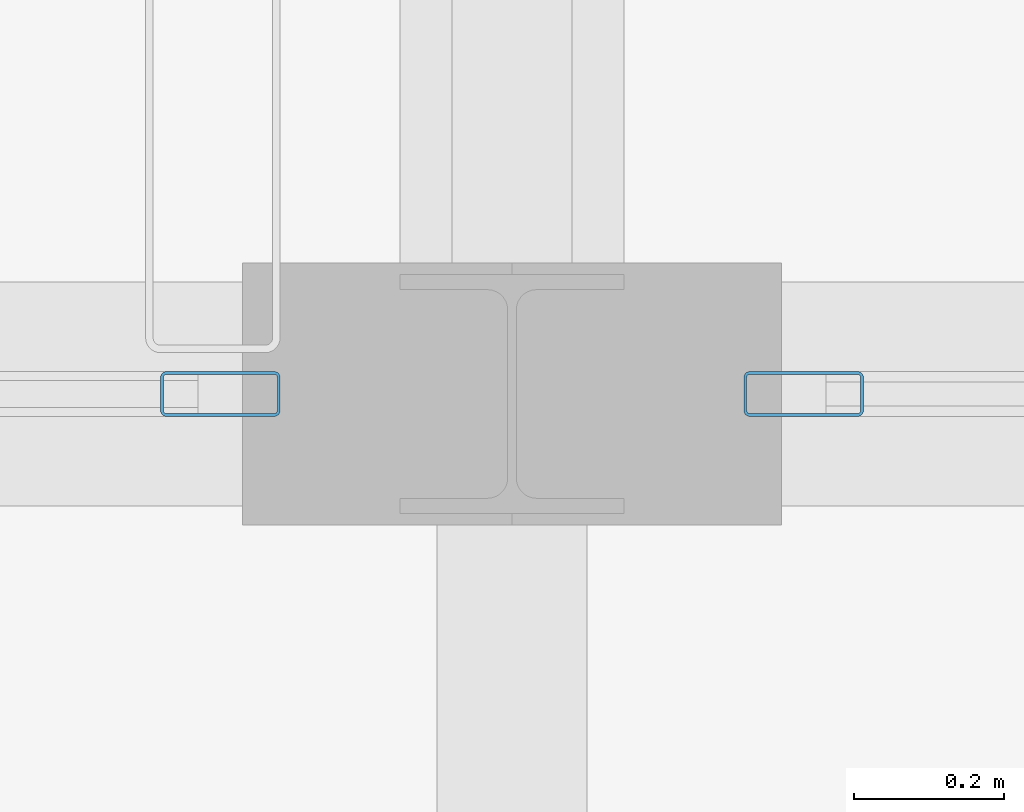
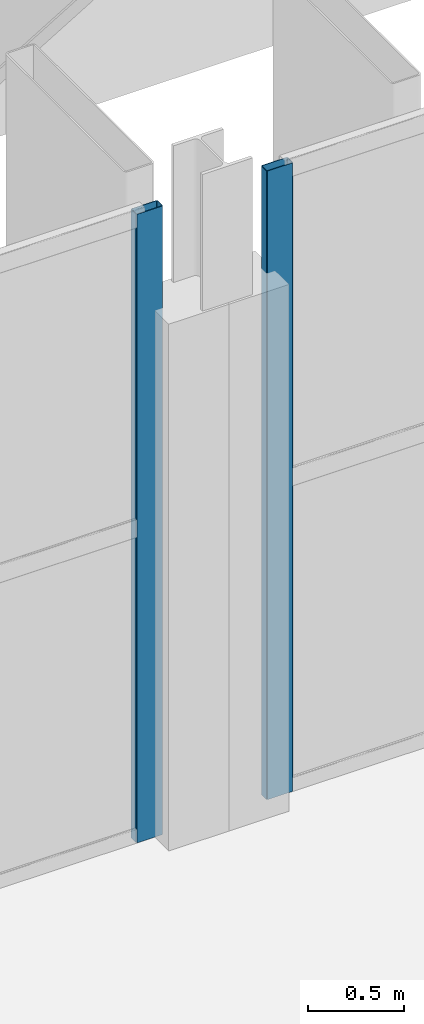
# One storey, part 27 of 93: 2 members, 2 elements without a shape of their own.
"""IFC4 building model written with IfcOpenShell, lengths in metres."""

from ifc_helpers import new_model, si_unit, direction, frame, origin, origin_2d, place, context, subcontext, project, spatial, hollow_rectangle, extrude, material, layer, layer_set, material_profile, profile_set, type_object, element, aggregate, save


model = new_model("IFC4")

# Units and contexts
model_context = context("Model", 3, precision=1e-05, world=origin(), true_north=direction((0.0, 1.0)))
body_context = subcontext(model_context, "Body", "Model", "MODEL_VIEW")
ifc_project = project(units=[si_unit("LENGTHUNIT", "METRE"), si_unit("AREAUNIT", "SQUARE_METRE"), si_unit("VOLUMEUNIT", "CUBIC_METRE"), si_unit("PLANEANGLEUNIT", "RADIAN"), si_unit("MASSUNIT", "GRAM", prefix="KILO")], contexts=[model_context])

# Site, building, storey
site_placement = place(None, origin())
site = spatial("IfcSite", under=ifc_project, at=site_placement, CompositionType="ELEMENT")
building_placement = place(site_placement, origin())
building = spatial("IfcBuilding", under=site, at=building_placement, Name="Vekula Escarpment Museum", CompositionType="ELEMENT")
storey_placement = place(building_placement, frame((0.0, 0.0, 22.199951171875)))
storey = spatial("IfcBuildingStorey", under=building, at=storey_placement, Name="L05", CompositionType="ELEMENT", Elevation=22.199951171875)

# Curtain wall, member
ifc_material_1 = material(Name="Aluminium thermally broken framing", Category="aluminium")
ifc_layer_1 = layer(ifc_material_1, 0.159912109375)
ifc_layer_set_1 = layer_set([ifc_layer_1], Name="Aluminium thermally broken framing")
curtain_wall_type_1 = type_object("IfcCurtainWallType", Name="CW-SYS-01", PredefinedType="NOTDEFINED", material=ifc_layer_set_1)
curtain_wall_1_placement = place(storey_placement, origin())
curtain_wall_1 = element("IfcCurtainWall", 1, at=curtain_wall_1_placement, inside=storey, type_object=curtain_wall_type_1, Name="Curtain Wall CW-L05-181", PredefinedType="NOTDEFINED")
ifc_material_2 = material(Name="Aluminium anodized mullion", Category="aluminium")
ifc_material_profile = material_profile(ifc_material_2, hollow_rectangle(XDim=0.06005859375, YDim=0.159912109375, WallThickness=0.00390625, InnerFilletRadius=0.00390625, OuterFilletRadius=0.008056640625, at=origin_2d()), Name="ALU 160x60x4")
ifc_profile_set = profile_set([ifc_material_profile], Name="Aluminium anodized mullion")
member_type = type_object("IfcMemberType", Name="CW-MUL-160", PredefinedType="MULLION", material=ifc_profile_set)
member_1_placement = place(storey_placement, frame((78.389892578125, 90.39990234375, 0.0), z_axis=(0.0, 0.0, 1.0), x_axis=(0.0, -1.0, 0.0)))
member_1 = element("IfcMember", 2, at=member_1_placement, type_object=member_type, Name="CW-01 mullion 5", PredefinedType="MULLION", context=body_context, shape_type="SweptSolid", body=[
    extrude(hollow_rectangle(XDim=0.06005859375, YDim=0.159912109375, WallThickness=0.00390625, InnerFilletRadius=0.00390625, OuterFilletRadius=0.008056640625, at=origin_2d()), origin(), (0.0, 0.0, 1.0), 3.97998046875),
])
aggregate(curtain_wall_1, [member_1])

ifc_material_3 = material(Name="Aluminium thermally broken framing", Category="aluminium")
ifc_layer_2 = layer(ifc_material_3, 0.159912109375)
ifc_layer_set_2 = layer_set([ifc_layer_2], Name="Aluminium thermally broken framing")
curtain_wall_type_2 = type_object("IfcCurtainWallType", Name="CW-SYS-02", PredefinedType="NOTDEFINED", material=ifc_layer_set_2)
curtain_wall_2_placement = place(storey_placement, origin())
curtain_wall_2 = element("IfcCurtainWall", 3, at=curtain_wall_2_placement, inside=storey, type_object=curtain_wall_type_2, Name="Curtain Wall CW-L05-182", PredefinedType="NOTDEFINED")
member_2_placement = place(storey_placement, frame((77.610107421875, 90.39990234375, 0.0), z_axis=(0.0, 0.0, 1.0), x_axis=(0.0, -1.0, 0.0)))
member_2 = element("IfcMember", 4, at=member_2_placement, type_object=member_type, Name="CW-02 mullion 1", PredefinedType="MULLION", context=body_context, shape_type="SweptSolid", body=[
    extrude(hollow_rectangle(XDim=0.06005859375, YDim=0.159912109375, WallThickness=0.00390625, InnerFilletRadius=0.00390625, OuterFilletRadius=0.008056640625, at=origin_2d()), origin(), (0.0, 0.0, 1.0), 3.97998046875),
])
aggregate(curtain_wall_2, [member_2])

save(model, "model.ifc")
